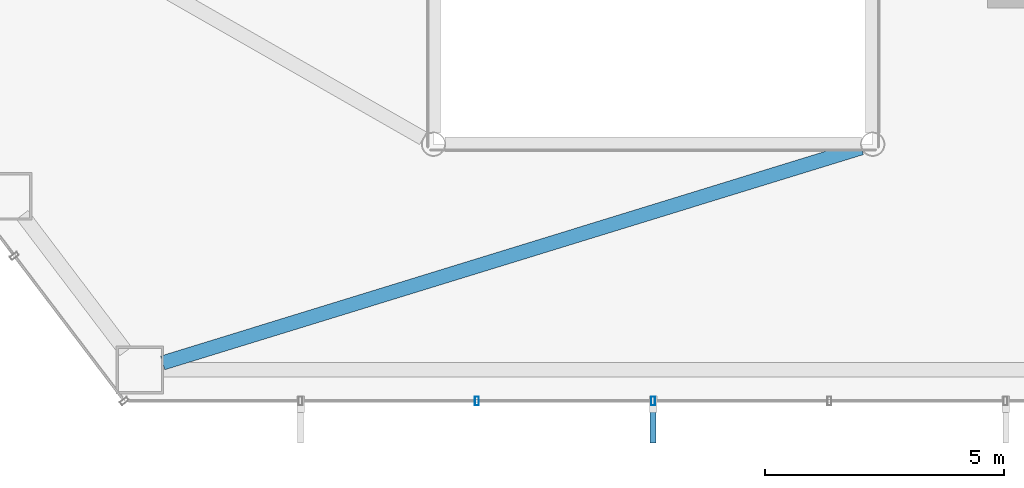
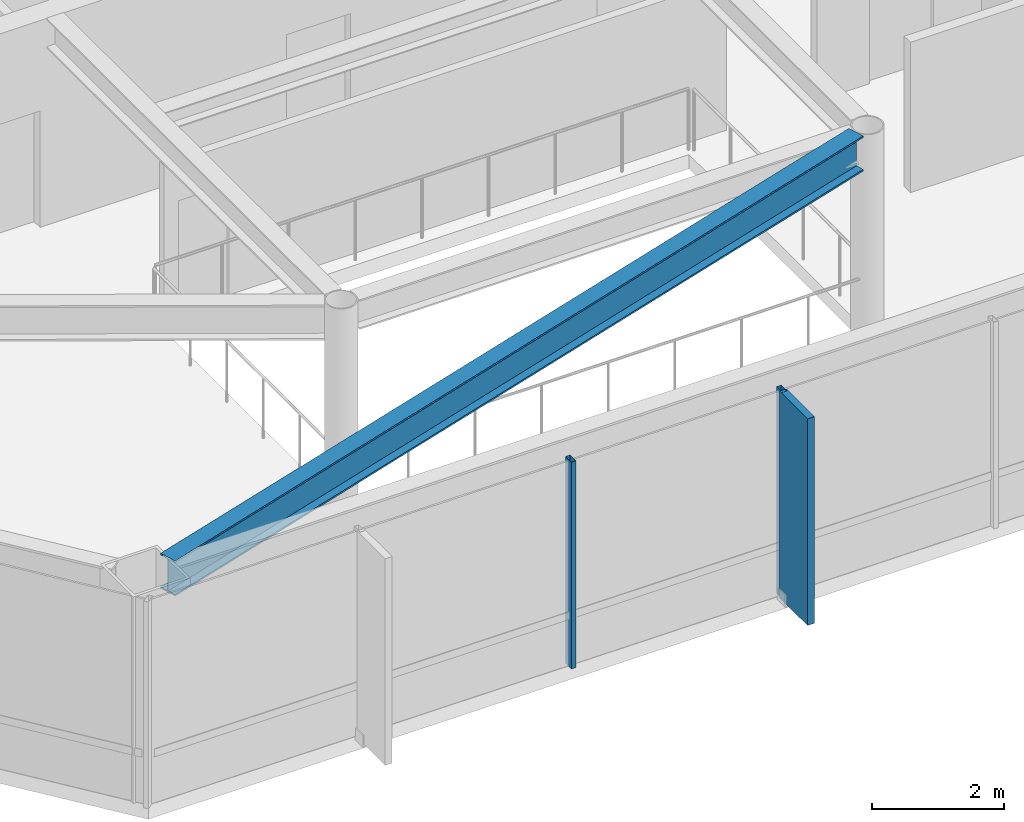
# One storey, part 6 of 25: 3 members, 1 beam, 1 element without a shape of its own.
"""IFC4 building model written with IfcOpenShell, lengths in metres."""

from ifc_helpers import new_model, si_unit, direction, frame, origin, origin_2d, place, context, subcontext, project, spatial, rectangle, hollow_rectangle, i_section, extrude, material, layer, layer_set, material_profile, profile_set, type_object, element, aggregate, save


model = new_model("IFC4")

# Units and contexts
model_context = context("Model", 3, precision=1e-05, world=origin(), true_north=direction((0.0, 1.0)))
body_context = subcontext(model_context, "Body", "Model", "MODEL_VIEW")
ifc_project = project(units=[si_unit("LENGTHUNIT", "METRE"), si_unit("AREAUNIT", "SQUARE_METRE"), si_unit("VOLUMEUNIT", "CUBIC_METRE"), si_unit("PLANEANGLEUNIT", "RADIAN"), si_unit("MASSUNIT", "GRAM", prefix="KILO")], contexts=[model_context])

# Site, building, storey
site_placement = place(None, origin())
site = spatial("IfcSite", under=ifc_project, at=site_placement, CompositionType="ELEMENT")
building_placement = place(site_placement, origin())
building = spatial("IfcBuilding", under=site, at=building_placement, Name="Zarrinselat Tower", CompositionType="ELEMENT")
storey_placement = place(building_placement, frame((0.0, 0.0, 43.860107421875)))
storey = spatial("IfcBuildingStorey", under=building, at=storey_placement, Name="L10", CompositionType="ELEMENT", Elevation=43.860107421875)

# Beam
ifc_material_1 = material(Name="Steel S355J2", Category="steel")
ifc_material_profile_1 = material_profile(ifc_material_1, i_section(OverallWidth=0.300048828125, OverallDepth=0.64990234375, WebThickness=0.01611328125, FlangeThickness=0.031005859375, at=origin_2d()), Name="HEB 650")
ifc_profile_set_1 = profile_set([ifc_material_profile_1], Name="Steel S355J2")
beam_type = type_object("IfcBeamType", Name="BM-HEB650", PredefinedType="BEAM", material=ifc_profile_set_1)
beam_placement = place(storey_placement, frame((28.128173828125, 19.820556640625, 3.494873046875), z_axis=(0.95571554885, 0.294292014308, 0.0), x_axis=(-0.294292014308, 0.95571554885, 0.0)))
element("IfcBeam", 1, at=beam_placement, inside=storey, type_object=beam_type, Name="L10 Radial Primary Girder RG10", PredefinedType="BEAM", context=body_context, shape_type="SweptSolid", body=[
    extrude(i_section(OverallWidth=0.300048828125, OverallDepth=0.64990234375, WebThickness=0.01611328125, FlangeThickness=0.031005859375, at=origin_2d()), origin(), (0.0, 0.0, 1.0), 15.310791015625),
])

# Curtain wall, members
ifc_material_2 = material(Name="Extruded Aluminium Alloy EN AW-6063 T6", Category="aluminium")
ifc_layer = layer(ifc_material_2, 0.18505859375)
ifc_layer_set = layer_set([ifc_layer], Name="Extruded Aluminium Alloy EN AW-6063 T6")
curtain_wall_type = type_object("IfcCurtainWallType", Name="CWS-OFF", PredefinedType="NOTDEFINED", material=ifc_layer_set)
curtain_wall_placement = place(storey_placement, origin())
curtain_wall = element("IfcCurtainWall", 2, at=curtain_wall_placement, inside=storey, type_object=curtain_wall_type, Name="L10 Unitised Curtain Wall CW-L10-E04", PredefinedType="NOTDEFINED")
ifc_material_3 = material(Name="Extruded Aluminium Alloy EN AW-6063 T6", Category="aluminium")
ifc_material_profile_2 = material_profile(ifc_material_3, hollow_rectangle(XDim=0.080078125, YDim=0.179931640625, WallThickness=0.0048828125, at=origin_2d()), Name="RHS 180x80x5")
ifc_profile_set_2 = profile_set([ifc_material_profile_2], Name="Extruded Aluminium Alloy EN AW-6063 T6")
member_type_1 = type_object("IfcMemberType", Name="MEM-CW-MUL", PredefinedType="MULLION", material=ifc_profile_set_2)
member_1_placement = place(storey_placement, frame((34.70849609375, 19.02294921875, 0.0), z_axis=(0.0, 0.0, 1.0), x_axis=(1.0, 0.0, 0.0)))
member_1 = element("IfcMember", 3, at=member_1_placement, type_object=member_type_1, Name="CW-L10-E04 Mullion 2", PredefinedType="MULLION", context=body_context, shape_type="SweptSolid", body=[
    extrude(hollow_rectangle(XDim=0.080078125, YDim=0.179931640625, WallThickness=0.0048828125, at=origin_2d()), origin(), (0.0, 0.0, 1.0), 3.81982421875),
])
member_2_placement = place(storey_placement, frame((38.39990234375, 19.02294921875, 0.0), z_axis=(0.0, 0.0, 1.0), x_axis=(1.0, 0.0, 0.0)))
member_2 = element("IfcMember", 4, at=member_2_placement, type_object=member_type_1, Name="CW-L10-E04 Mullion 3", PredefinedType="MULLION", context=body_context, shape_type="SweptSolid", body=[
    extrude(hollow_rectangle(XDim=0.080078125, YDim=0.179931640625, WallThickness=0.0048828125, at=origin_2d()), origin(), (0.0, 0.0, 1.0), 3.81982421875),
])
ifc_material_4 = material(Name="Honed Cream Travertine Stone", Category="masonry")
ifc_material_profile_3 = material_profile(ifc_material_4, rectangle(XDim=0.1201171875, YDim=0.85009765625, at=origin_2d()), Name="FIN 850x120")
ifc_profile_set_3 = profile_set([ifc_material_profile_3], Name="Honed Cream Travertine Stone")
member_type_2 = type_object("IfcMemberType", Name="MEM-STONE-FIN", PredefinedType="USERDEFINED", material=ifc_profile_set_3)
member_3_placement = place(storey_placement, frame((38.39990234375, 18.56298828125, 0.0), z_axis=(0.0, 0.0, 1.0), x_axis=(-1.0, 0.0, 0.0)))
member_3 = element("IfcMember", 5, at=member_3_placement, type_object=member_type_2, Name="L10 Stone Shading Fin CW-L10-E04-03", ObjectType="FIN", PredefinedType="USERDEFINED", context=body_context, shape_type="SweptSolid", body=[
    extrude(rectangle(XDim=0.1201171875, YDim=0.85009765625, at=origin_2d()), origin(), (0.0, 0.0, 1.0), 3.81982421875),
])
aggregate(curtain_wall, [member_1, member_2, member_3])

save(model, "model.ifc")
